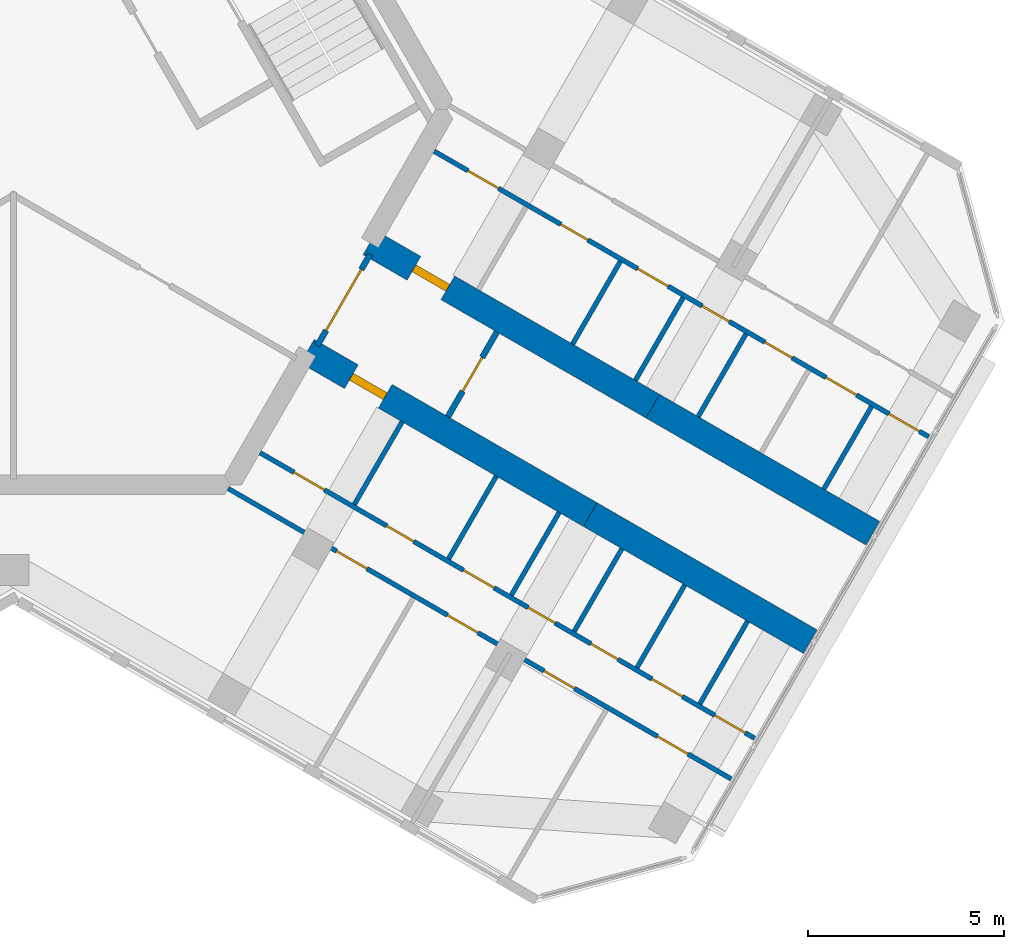
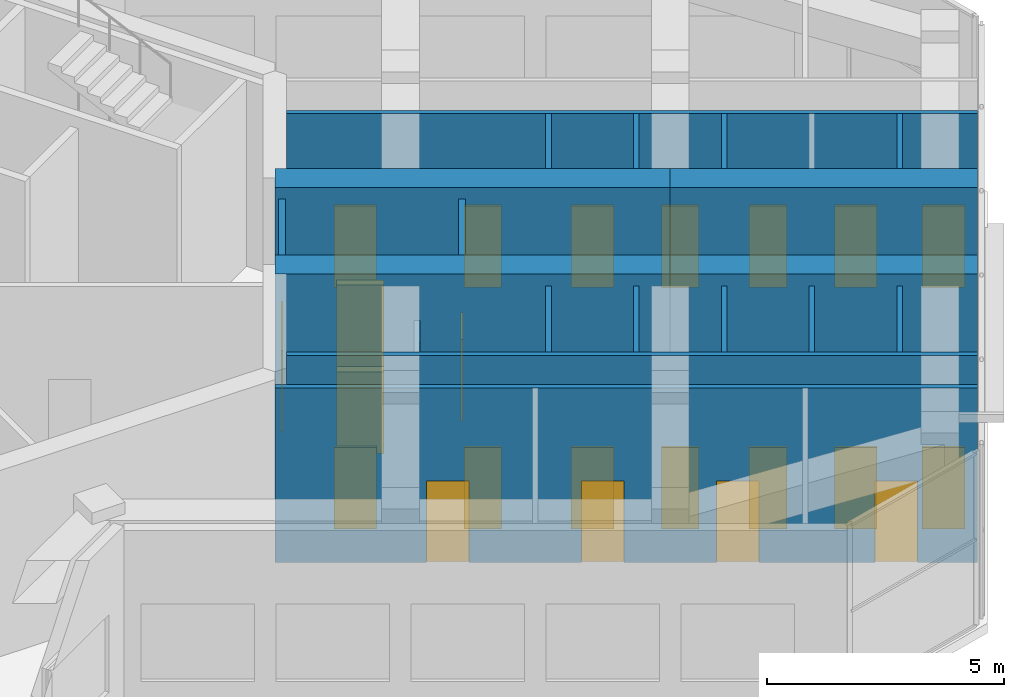
# One storey, part 10 of 14: 22 doors, 19 walls, 22 openings.
"""IFC4 building model written with IfcOpenShell, lengths in metres."""

from ifc_helpers import new_model, si_unit, direction, frame, frame_2d, origin, place, context, subcontext, project, spatial, rectangle, extrude, material, layer, layer_set, type_object, element, fill, save


model = new_model("IFC4")

# Units and contexts
model_context = context("Model", 3, precision=1e-05, world=origin(), true_north=direction((0.0, 1.0)))
body_context = subcontext(model_context, "Body", "Model", "MODEL_VIEW")
ifc_project = project(units=[si_unit("LENGTHUNIT", "METRE"), si_unit("AREAUNIT", "SQUARE_METRE"), si_unit("VOLUMEUNIT", "CUBIC_METRE"), si_unit("PLANEANGLEUNIT", "RADIAN"), si_unit("MASSUNIT", "GRAM", prefix="KILO")], contexts=[model_context])

# Site, building, storey
site_placement = place(None, origin())
site = spatial("IfcSite", under=ifc_project, at=site_placement, CompositionType="ELEMENT")
building_placement = place(site_placement, origin())
building = spatial("IfcBuilding", under=site, at=building_placement, Name="Kosmar Iwan School Tower", CompositionType="ELEMENT")
storey_placement = place(building_placement, frame((0.0, 0.0, 296.199951171875)))
storey = spatial("IfcBuildingStorey", under=building, at=storey_placement, Name="L75", CompositionType="ELEMENT", Elevation=296.199951171875)

# Wall, opening, door
ifc_material_1 = material(Name="Concrete C50/60", Category="concrete")
ifc_layer_1 = layer(ifc_material_1, 0.699951171875)
ifc_layer_set_1 = layer_set([ifc_layer_1], Name="Corridor buttress wall 700")
wall_type_1 = type_object("IfcWallType", Name="Corridor buttress wall 700", PredefinedType="SHEAR", material=ifc_layer_set_1)
wall_1_placement = place(storey_placement, frame((9.11376953125, -3.414306640625, 0.0), z_axis=(0.0, 0.0, 1.0), x_axis=(0.866026859388, -0.499997478812, 0.0)))
wall_1 = element("IfcWall", 1, at=wall_1_placement, inside=storey, type_object=wall_type_1, Name="Corridor wall CL", PredefinedType="SHEAR", context=body_context, shape_type="SweptSolid", body=[
    extrude(rectangle(XDim=8.35009765625, YDim=0.699951171875, at=frame_2d((4.175048828125, 0.0))), origin(), (0.0, 0.0, 1.0), 4.800048828125),
])
opening_1_placement = place(wall_1_placement, frame((1.300048828125, 0.0, 0.0)))
opening_1 = element("IfcOpeningElement", 2, at=opening_1_placement, cuts=wall_1, Name="Opening D1", PredefinedType="OPENING", context=body_context, shape_type="SweptSolid", body=[
    extrude(rectangle(XDim=1.0, YDim=2.10009765625, at=frame_2d((0.5, 1.050048828125))), frame((0.0, 0.362060546875, 0.0), z_axis=(0.0, -1.0, 0.0), x_axis=(1.0, 0.0, 0.0)), (0.0, 0.0, 1.0), 0.723876953125),
])
ifc_material_2 = material(Name="Timber fire door in steel frame", Category="steel")
door_type_1 = type_object("IfcDoorType", Name="Flat entrance door 1000x2100", OperationType="SINGLE_SWING_LEFT", PredefinedType="DOOR", material=ifc_material_2)
door_1_placement = place(opening_1_placement, origin())
door_1 = element("IfcDoor", 3, at=door_1_placement, inside=storey, type_object=door_type_1, Name="Flat L75-CL1 entrance door", OperationType="SINGLE_SWING_RIGHT", OverallHeight=2.10009765625, OverallWidth=1.0, PredefinedType="DOOR", context=body_context, shape_type="SweptSolid", body=[
    extrude(rectangle(XDim=1.0, YDim=2.10009765625, at=frame_2d((0.5, 1.050048828125))), frame((0.0, 0.10009765625, 0.0), z_axis=(0.0, -1.0, 0.0), x_axis=(1.0, 0.0, 0.0)), (0.0, 0.0, 1.0), 0.199951171875),
])
fill(opening_1, door_1)

# Wall
wall_2_placement = place(storey_placement, frame((16.34521484375, -7.58935546875, 0.0), z_axis=(0.0, 0.0, 1.0), x_axis=(0.866018451174, -0.500012042081, 0.0)))
element("IfcWall", 4, at=wall_2_placement, inside=storey, type_object=wall_type_1, Name="Corridor wall CL bay 2", PredefinedType="SHEAR", context=body_context, shape_type="SweptSolid", body=[
    extrude(rectangle(XDim=6.494873046875, YDim=0.699951171875, at=frame_2d((3.24755859375, 0.0))), origin(), (0.0, 0.0, 1.0), 4.800048828125),
])

# Wall, opening, door
wall_3_placement = place(storey_placement, frame((7.513916015625, -6.185546875, 0.0), z_axis=(0.0, 0.0, 1.0), x_axis=(0.866019549707, -0.500010139422, 0.0)))
wall_3 = element("IfcWall", 5, at=wall_3_placement, inside=storey, type_object=wall_type_1, Name="Corridor wall CR", PredefinedType="SHEAR", context=body_context, shape_type="SweptSolid", body=[
    extrude(rectangle(XDim=8.349853515625, YDim=0.699951171875, at=frame_2d((4.1748046875, 0.0))), origin(), (0.0, 0.0, 1.0), 4.800048828125),
])
opening_2_placement = place(wall_3_placement, frame((1.300048828125, 0.0, 0.0)))
opening_2 = element("IfcOpeningElement", 6, at=opening_2_placement, cuts=wall_3, Name="Opening D1", PredefinedType="OPENING", context=body_context, shape_type="SweptSolid", body=[
    extrude(rectangle(XDim=1.0, YDim=2.10009765625, at=frame_2d((0.5, 1.050048828125))), frame((0.0, 0.362060546875, 0.0), z_axis=(0.0, -1.0, 0.0), x_axis=(1.0, 0.0, 0.0)), (0.0, 0.0, 1.0), 0.723876953125),
])
door_2_placement = place(opening_2_placement, origin())
door_2 = element("IfcDoor", 7, at=door_2_placement, inside=storey, type_object=door_type_1, Name="Flat L75-CR1 entrance door", OperationType="SINGLE_SWING_LEFT", OverallHeight=2.10009765625, OverallWidth=1.0, PredefinedType="DOOR", context=body_context, shape_type="SweptSolid", body=[
    extrude(rectangle(XDim=1.0, YDim=2.10009765625, at=frame_2d((0.5, 1.050048828125))), frame((0.0, 0.10009765625, 0.0), z_axis=(0.0, -1.0, 0.0), x_axis=(1.0, 0.0, 0.0)), (0.0, 0.0, 1.0), 0.199951171875),
])
fill(opening_2, door_2)

# Wall
wall_4_placement = place(storey_placement, frame((14.7451171875, -10.360595703125, 0.0), z_axis=(0.0, 0.0, 1.0), x_axis=(0.866027848477, -0.499995765644, 0.0)))
element("IfcWall", 8, at=wall_4_placement, inside=storey, type_object=wall_type_1, Name="Corridor wall CR bay 2", PredefinedType="SHEAR", context=body_context, shape_type="SweptSolid", body=[
    extrude(rectangle(XDim=6.4951171875, YDim=0.699951171875, at=frame_2d((3.24755859375, 0.0))), origin(), (0.0, 0.0, 1.0), 4.800048828125),
])

# Wall, opening, door
ifc_material_3 = material(Name="Gypsum board on steel studs, fire-rated", Category="steel")
ifc_layer_2 = layer(ifc_material_3, 0.14990234375)
ifc_layer_set_2 = layer_set([ifc_layer_2], Name="Corridor end wall 150")
wall_type_2 = type_object("IfcWallType", Name="Corridor end wall 150", PredefinedType="PARTITIONING", material=ifc_layer_set_2)
wall_5_placement = place(storey_placement, frame((11.109619140625, -7.857421875, 0.0), z_axis=(0.0, 0.0, 1.0), x_axis=(0.500004234368, 0.866022959057, 0.0)))
wall_5 = element("IfcWall", 9, at=wall_5_placement, inside=storey, type_object=wall_type_2, Name="Partition L75-C-CE", PredefinedType="PARTITIONING", context=body_context, shape_type="SweptSolid", body=[
    extrude(rectangle(XDim=2.5, YDim=0.14990234375, at=frame_2d((1.25, 0.0))), origin(), (0.0, 0.0, 1.0), 4.5),
])
opening_3_placement = place(wall_5_placement, frame((0.75, 0.0, 0.0)))
opening_3 = element("IfcOpeningElement", 10, at=opening_3_placement, cuts=wall_5, Name="Opening D13", PredefinedType="OPENING", context=body_context, shape_type="SweptSolid", body=[
    extrude(rectangle(XDim=1.0, YDim=2.10009765625, at=frame_2d((0.5, 1.050048828125))), frame((0.0, 0.0869140625, 0.0), z_axis=(0.0, -1.0, 0.0), x_axis=(1.0, 0.0, 0.0)), (0.0, 0.0, 1.0), 0.173828125),
])
ifc_material_4 = material(Name="Timber fire door with vision panel", Category="wood")
door_type_2 = type_object("IfcDoorType", Name="Corridor end door 1000x2100", OperationType="SINGLE_SWING_LEFT", PredefinedType="DOOR", material=ifc_material_4)
door_3_placement = place(opening_3_placement, origin())
door_3 = element("IfcDoor", 11, at=door_3_placement, inside=storey, type_object=door_type_2, Name="Reading room door L75-C", OperationType="SINGLE_SWING_RIGHT", OverallHeight=2.10009765625, OverallWidth=1.0, PredefinedType="DOOR", context=body_context, shape_type="SweptSolid", body=[
    extrude(rectangle(XDim=1.0, YDim=2.10009765625, at=frame_2d((0.5, 1.050048828125))), frame((0.0, 0.02490234375, 0.0), z_axis=(0.0, -1.0, 0.0), x_axis=(1.0, 0.0, 0.0)), (0.0, 0.0, 1.0), 0.050048828125),
])
fill(opening_3, door_3)

ifc_material_5 = material(Name="Steel framed glazed screen", Category="steel")
ifc_layer_3 = layer(ifc_material_5, 0.14990234375)
ifc_layer_set_3 = layer_set([ifc_layer_3], Name="Corridor screen wall 150")
wall_type_3 = type_object("IfcWallType", Name="Corridor screen wall 150", PredefinedType="PARTITIONING", material=ifc_layer_set_3)
wall_6_placement = place(storey_placement, frame((7.768798828125, -6.044189453125, 0.0), z_axis=(0.0, 0.0, 1.0), x_axis=(0.4999416173, 0.866059108428, 0.0)))
wall_6 = element("IfcWall", 12, at=wall_6_placement, inside=storey, type_object=wall_type_3, Name="Corridor screen C L75", PredefinedType="PARTITIONING", context=body_context, shape_type="SweptSolid", body=[
    extrude(rectangle(XDim=2.699951171875, YDim=0.14990234375, at=frame_2d((1.35009765625, 0.0))), origin(), (0.0, 0.0, 1.0), 4.5),
])
opening_4_placement = place(wall_6_placement, frame((0.449951171875, 0.0, 0.0)))
opening_4 = element("IfcOpeningElement", 13, at=opening_4_placement, cuts=wall_6, Name="Opening D9", PredefinedType="OPENING", context=body_context, shape_type="SweptSolid", body=[
    extrude(rectangle(XDim=1.800048828125, YDim=2.10009765625, at=frame_2d((0.89990234375, 1.050048828125))), frame((0.0, 0.0869140625, 0.0), z_axis=(0.0, -1.0, 0.0), x_axis=(1.0, 0.0, 0.0)), (0.0, 0.0, 1.0), 0.173828125),
])
ifc_material_6 = material(Name="Steel framed glazed smoke door", Category="steel")
door_type_3 = type_object("IfcDoorType", Name="Corridor smoke door pair 1800x2100", OperationType="DOUBLE_DOOR_DOUBLE_SWING", PredefinedType="DOOR", material=ifc_material_6)
door_4_placement = place(opening_4_placement, origin())
door_4 = element("IfcDoor", 14, at=door_4_placement, inside=storey, type_object=door_type_3, Name="Corridor doors C L75", OperationType="DOUBLE_DOOR_DOUBLE_SWING", OverallHeight=2.10009765625, OverallWidth=1.800048828125, PredefinedType="DOOR", context=body_context, shape_type="SweptSolid", body=[
    extrude(rectangle(XDim=1.800048828125, YDim=2.10009765625, at=frame_2d((0.89990234375, 1.050048828125))), frame((0.0, 0.02490234375, 0.0), z_axis=(0.0, -1.0, 0.0), x_axis=(1.0, 0.0, 0.0)), (0.0, 0.0, 1.0), 0.050048828125),
])
fill(opening_4, door_4)

# Wall, openings, doors
ifc_material_7 = material(Name="Gypsum board on steel studs", Category="steel")
ifc_layer_4 = layer(ifc_material_7, 0.1201171875)
ifc_layer_set_4 = layer_set([ifc_layer_4], Name="Dwelling partition 120")
wall_type_4 = type_object("IfcWallType", Name="Dwelling partition 120", PredefinedType="PARTITIONING", material=ifc_layer_set_4)
wall_7_placement = place(storey_placement, frame((10.75537109375, -1.0712890625, 0.0), z_axis=(0.0, 0.0, 1.0), x_axis=(0.866029591389, -0.499992746786, 0.0)))
wall_7 = element("IfcWall", 15, at=wall_7_placement, inside=storey, type_object=wall_type_4, Name="Partition L75-CL1-W1", PredefinedType="PARTITIONING", context=body_context, shape_type="SweptSolid", body=[
    extrude(rectangle(XDim=14.594970703125, YDim=0.1201171875, at=frame_2d((7.29736328125, 0.0))), origin(), (0.0, 0.0, 1.0), 4.5),
])
opening_5_placement = place(wall_7_placement, frame((1.0, 0.0, 0.0)))
opening_5 = element("IfcOpeningElement", 16, at=opening_5_placement, cuts=wall_7, Name="Opening D2", PredefinedType="OPENING", context=body_context, shape_type="SweptSolid", body=[
    extrude(rectangle(XDim=0.89990234375, YDim=2.10009765625, at=frame_2d((0.449951171875, 1.050048828125))), frame((0.0, 0.072021484375, 0.0), z_axis=(0.0, -1.0, 0.0), x_axis=(1.0, 0.0, 0.0)), (0.0, 0.0, 1.0), 0.14404296875),
])
opening_6_placement = place(wall_7_placement, frame((3.740478515625, 0.0, 0.0)))
opening_6 = element("IfcOpeningElement", 17, at=opening_6_placement, cuts=wall_7, Name="Opening D3", PredefinedType="OPENING", context=body_context, shape_type="SweptSolid", body=[
    extrude(rectangle(XDim=0.800048828125, YDim=2.10009765625, at=frame_2d((0.39990234375, 1.050048828125))), frame((0.0, 0.072021484375, 0.0), z_axis=(0.0, -1.0, 0.0), x_axis=(1.0, 0.0, 0.0)), (0.0, 0.0, 1.0), 0.14404296875),
])
opening_7_placement = place(wall_7_placement, frame((6.0078125, 0.0, 0.0)))
opening_7 = element("IfcOpeningElement", 18, at=opening_7_placement, cuts=wall_7, Name="Opening D2", PredefinedType="OPENING", context=body_context, shape_type="SweptSolid", body=[
    extrude(rectangle(XDim=0.89990234375, YDim=2.10009765625, at=frame_2d((0.449951171875, 1.050048828125))), frame((0.0, 0.072021484375, 0.0), z_axis=(0.0, -1.0, 0.0), x_axis=(1.0, 0.0, 0.0)), (0.0, 0.0, 1.0), 0.14404296875),
])
opening_8_placement = place(wall_7_placement, frame((7.91162109375, 0.0, 0.0)))
opening_8 = element("IfcOpeningElement", 19, at=opening_8_placement, cuts=wall_7, Name="Opening D3", PredefinedType="OPENING", context=body_context, shape_type="SweptSolid", body=[
    extrude(rectangle(XDim=0.800048828125, YDim=2.10009765625, at=frame_2d((0.39990234375, 1.050048828125))), frame((0.0, 0.072021484375, 0.0), z_axis=(0.0, -1.0, 0.0), x_axis=(1.0, 0.0, 0.0)), (0.0, 0.0, 1.0), 0.14404296875),
])
opening_9_placement = place(wall_7_placement, frame((9.765380859375, 0.0, 0.0)))
opening_9 = element("IfcOpeningElement", 20, at=opening_9_placement, cuts=wall_7, Name="Opening D3", PredefinedType="OPENING", context=body_context, shape_type="SweptSolid", body=[
    extrude(rectangle(XDim=0.800048828125, YDim=2.10009765625, at=frame_2d((0.39990234375, 1.050048828125))), frame((0.0, 0.072021484375, 0.0), z_axis=(0.0, -1.0, 0.0), x_axis=(1.0, 0.0, 0.0)), (0.0, 0.0, 1.0), 0.14404296875),
])
opening_10_placement = place(wall_7_placement, frame((11.5693359375, 0.0, 0.0)))
opening_10 = element("IfcOpeningElement", 21, at=opening_10_placement, cuts=wall_7, Name="Opening D2", PredefinedType="OPENING", context=body_context, shape_type="SweptSolid", body=[
    extrude(rectangle(XDim=0.89990234375, YDim=2.10009765625, at=frame_2d((0.449951171875, 1.050048828125))), frame((0.0, 0.072021484375, 0.0), z_axis=(0.0, -1.0, 0.0), x_axis=(1.0, 0.0, 0.0)), (0.0, 0.0, 1.0), 0.14404296875),
])
opening_11_placement = place(wall_7_placement, frame((13.423095703125, 0.0, 0.0)))
opening_11 = element("IfcOpeningElement", 22, at=opening_11_placement, cuts=wall_7, Name="Opening D2", PredefinedType="OPENING", context=body_context, shape_type="SweptSolid", body=[
    extrude(rectangle(XDim=0.89990234375, YDim=2.10009765625, at=frame_2d((0.449951171875, 1.050048828125))), frame((0.0, 0.072021484375, 0.0), z_axis=(0.0, -1.0, 0.0), x_axis=(1.0, 0.0, 0.0)), (0.0, 0.0, 1.0), 0.14404296875),
])
ifc_material_8 = material(Name="Timber door in timber frame", Category="wood")
door_type_4 = type_object("IfcDoorType", Name="Internal door 900x2100", OperationType="SINGLE_SWING_LEFT", PredefinedType="DOOR", material=ifc_material_8)
door_5_placement = place(opening_5_placement, origin())
door_5 = element("IfcDoor", 23, at=door_5_placement, inside=storey, type_object=door_type_4, Name="Entrance hall door L75-CL1-S1", OperationType="SINGLE_SWING_LEFT", OverallHeight=2.10009765625, OverallWidth=0.89990234375, PredefinedType="DOOR", context=body_context, shape_type="SweptSolid", body=[
    extrude(rectangle(XDim=0.89990234375, YDim=2.10009765625, at=frame_2d((0.449951171875, 1.050048828125))), frame((0.0, 0.02490234375, 0.0), z_axis=(0.0, -1.0, 0.0), x_axis=(1.0, 0.0, 0.0)), (0.0, 0.0, 1.0), 0.050048828125),
])
fill(opening_5, door_5)
door_6_placement = place(opening_7_placement, origin())
door_6 = element("IfcDoor", 24, at=door_6_placement, inside=storey, type_object=door_type_4, Name="Pantry door L75-CL1-S3", OperationType="SINGLE_SWING_LEFT", OverallHeight=2.10009765625, OverallWidth=0.89990234375, PredefinedType="DOOR", context=body_context, shape_type="SweptSolid", body=[
    extrude(rectangle(XDim=0.89990234375, YDim=2.10009765625, at=frame_2d((0.449951171875, 1.050048828125))), frame((0.0, 0.02490234375, 0.0), z_axis=(0.0, -1.0, 0.0), x_axis=(1.0, 0.0, 0.0)), (0.0, 0.0, 1.0), 0.050048828125),
])
fill(opening_7, door_6)
door_7_placement = place(opening_10_placement, origin())
door_7 = element("IfcDoor", 25, at=door_7_placement, inside=storey, type_object=door_type_4, Name="Utility room door L75-CL1-S6", OperationType="SINGLE_SWING_RIGHT", OverallHeight=2.10009765625, OverallWidth=0.89990234375, PredefinedType="DOOR", context=body_context, shape_type="SweptSolid", body=[
    extrude(rectangle(XDim=0.89990234375, YDim=2.10009765625, at=frame_2d((0.449951171875, 1.050048828125))), frame((0.0, 0.02490234375, 0.0), z_axis=(0.0, -1.0, 0.0), x_axis=(1.0, 0.0, 0.0)), (0.0, 0.0, 1.0), 0.050048828125),
])
fill(opening_10, door_7)
door_8_placement = place(opening_11_placement, origin())
door_8 = element("IfcDoor", 26, at=door_8_placement, inside=storey, type_object=door_type_4, Name="Dressing room door L75-CL1-S7", OperationType="SINGLE_SWING_RIGHT", OverallHeight=2.10009765625, OverallWidth=0.89990234375, PredefinedType="DOOR", context=body_context, shape_type="SweptSolid", body=[
    extrude(rectangle(XDim=0.89990234375, YDim=2.10009765625, at=frame_2d((0.449951171875, 1.050048828125))), frame((0.0, 0.02490234375, 0.0), z_axis=(0.0, -1.0, 0.0), x_axis=(1.0, 0.0, 0.0)), (0.0, 0.0, 1.0), 0.050048828125),
])
fill(opening_11, door_8)
ifc_material_9 = material(Name="Timber door in timber frame", Category="wood")
door_type_5 = type_object("IfcDoorType", Name="Sanitary room door 800x2100", OperationType="SINGLE_SWING_LEFT", PredefinedType="DOOR", material=ifc_material_9)
door_9_placement = place(opening_6_placement, origin())
door_9 = element("IfcDoor", 27, at=door_9_placement, inside=storey, type_object=door_type_5, Name="Bathroom door L75-CL1-S2", OperationType="SINGLE_SWING_LEFT", OverallHeight=2.10009765625, OverallWidth=0.800048828125, PredefinedType="DOOR", context=body_context, shape_type="SweptSolid", body=[
    extrude(rectangle(XDim=0.800048828125, YDim=2.10009765625, at=frame_2d((0.39990234375, 1.050048828125))), frame((0.0, 0.02490234375, 0.0), z_axis=(0.0, -1.0, 0.0), x_axis=(1.0, 0.0, 0.0)), (0.0, 0.0, 1.0), 0.050048828125),
])
fill(opening_6, door_9)
door_10_placement = place(opening_8_placement, origin())
door_10 = element("IfcDoor", 28, at=door_10_placement, inside=storey, type_object=door_type_5, Name="WC door L75-CL1-S4", OperationType="SINGLE_SWING_RIGHT", OverallHeight=2.10009765625, OverallWidth=0.800048828125, PredefinedType="DOOR", context=body_context, shape_type="SweptSolid", body=[
    extrude(rectangle(XDim=0.800048828125, YDim=2.10009765625, at=frame_2d((0.39990234375, 1.050048828125))), frame((0.0, 0.02490234375, 0.0), z_axis=(0.0, -1.0, 0.0), x_axis=(1.0, 0.0, 0.0)), (0.0, 0.0, 1.0), 0.050048828125),
])
fill(opening_8, door_10)
door_11_placement = place(opening_9_placement, origin())
door_11 = element("IfcDoor", 29, at=door_11_placement, inside=storey, type_object=door_type_5, Name="Store door L75-CL1-S5", OperationType="SINGLE_SWING_RIGHT", OverallHeight=2.10009765625, OverallWidth=0.800048828125, PredefinedType="DOOR", context=body_context, shape_type="SweptSolid", body=[
    extrude(rectangle(XDim=0.800048828125, YDim=2.10009765625, at=frame_2d((0.39990234375, 1.050048828125))), frame((0.0, 0.02490234375, 0.0), z_axis=(0.0, -1.0, 0.0), x_axis=(1.0, 0.0, 0.0)), (0.0, 0.0, 1.0), 0.050048828125),
])
fill(opening_9, door_11)

# Walls
wall_8_placement = place(storey_placement, frame((14.295166015625, -6.001708984375, 0.0), z_axis=(0.0, 0.0, 1.0), x_axis=(0.499959183527, 0.866048967903, 0.0)))
element("IfcWall", 30, at=wall_8_placement, inside=storey, type_object=wall_type_4, Name="Partition L75-CL1-Y2", PredefinedType="PARTITIONING", context=body_context, shape_type="SweptSolid", body=[
    extrude(rectangle(XDim=2.440185546875, YDim=0.1201171875, at=frame_2d((1.22021484375, 0.0))), origin(), (0.0, 0.0, 1.0), 4.5),
])
for number, where, z_axis, x_axis, name in (
    (31, (15.900634765625, -6.928466796875, 0.0), (0.0, 0.0, 1.0), (0.500002508028, 0.866023955769, 0.0), "Partition L75-CL1-Y3"),
    (32, (17.506103515625, -7.85546875, 0.0), (0.0, 0.0, 1.0), (0.500002508028, 0.866023955769, 0.0), "Partition L75-CL1-Y4"),
    (33, (20.717041015625, -9.709228515625, 0.0), (0.0, 0.0, 1.0), (0.500002508028, 0.866023955769, 0.0), "Partition L75-CL1-Y6"),
):
    element("IfcWall", number, at=place(storey_placement, frame(where, z_axis=z_axis, x_axis=x_axis)), inside=storey, type_object=wall_type_4, Name=name, PredefinedType="PARTITIONING", context=body_context, shape_type="SweptSolid", body=[
        extrude(rectangle(XDim=2.43994140625, YDim=0.1201171875, at=frame_2d((1.219970703125, 0.0))), origin(), (0.0, 0.0, 1.0), 4.5),
    ])

# Wall, openings, doors
wall_9_placement = place(storey_placement, frame((6.305419921875, -8.77880859375, 0.0), z_axis=(0.0, 0.0, 1.0), x_axis=(0.866022348096, -0.50000529257, 0.0)))
wall_9 = element("IfcWall", 34, at=wall_9_placement, inside=storey, type_object=wall_type_4, Name="Partition L75-CR1-W1", PredefinedType="PARTITIONING", context=body_context, shape_type="SweptSolid", body=[
    extrude(rectangle(XDim=14.594970703125, YDim=0.1201171875, at=frame_2d((7.29736328125, 0.0))), origin(), (0.0, 0.0, 1.0), 4.5),
])
opening_12_placement = place(wall_9_placement, frame((1.0, 0.0, 0.0)))
opening_12 = element("IfcOpeningElement", 35, at=opening_12_placement, cuts=wall_9, Name="Opening D2", PredefinedType="OPENING", context=body_context, shape_type="SweptSolid", body=[
    extrude(rectangle(XDim=0.89990234375, YDim=2.10009765625, at=frame_2d((0.449951171875, 1.050048828125))), frame((0.0, 0.072021484375, 0.0), z_axis=(0.0, -1.0, 0.0), x_axis=(1.0, 0.0, 0.0)), (0.0, 0.0, 1.0), 0.14404296875),
])
opening_13_placement = place(wall_9_placement, frame((3.740478515625, 0.0, 0.0)))
opening_13 = element("IfcOpeningElement", 36, at=opening_13_placement, cuts=wall_9, Name="Opening D3", PredefinedType="OPENING", context=body_context, shape_type="SweptSolid", body=[
    extrude(rectangle(XDim=0.800048828125, YDim=2.10009765625, at=frame_2d((0.39990234375, 1.050048828125))), frame((0.0, 0.072021484375, 0.0), z_axis=(0.0, -1.0, 0.0), x_axis=(1.0, 0.0, 0.0)), (0.0, 0.0, 1.0), 0.14404296875),
])
opening_14_placement = place(wall_9_placement, frame((6.0078125, 0.0, 0.0)))
opening_14 = element("IfcOpeningElement", 37, at=opening_14_placement, cuts=wall_9, Name="Opening D2", PredefinedType="OPENING", context=body_context, shape_type="SweptSolid", body=[
    extrude(rectangle(XDim=0.89990234375, YDim=2.10009765625, at=frame_2d((0.449951171875, 1.050048828125))), frame((0.0, 0.072021484375, 0.0), z_axis=(0.0, -1.0, 0.0), x_axis=(1.0, 0.0, 0.0)), (0.0, 0.0, 1.0), 0.14404296875),
])
opening_15_placement = place(wall_9_placement, frame((7.91162109375, 0.0, 0.0)))
opening_15 = element("IfcOpeningElement", 38, at=opening_15_placement, cuts=wall_9, Name="Opening D3", PredefinedType="OPENING", context=body_context, shape_type="SweptSolid", body=[
    extrude(rectangle(XDim=0.800048828125, YDim=2.10009765625, at=frame_2d((0.39990234375, 1.050048828125))), frame((0.0, 0.072021484375, 0.0), z_axis=(0.0, -1.0, 0.0), x_axis=(1.0, 0.0, 0.0)), (0.0, 0.0, 1.0), 0.14404296875),
])
opening_16_placement = place(wall_9_placement, frame((9.765380859375, 0.0, 0.0)))
opening_16 = element("IfcOpeningElement", 39, at=opening_16_placement, cuts=wall_9, Name="Opening D3", PredefinedType="OPENING", context=body_context, shape_type="SweptSolid", body=[
    extrude(rectangle(XDim=0.800048828125, YDim=2.10009765625, at=frame_2d((0.39990234375, 1.050048828125))), frame((0.0, 0.072021484375, 0.0), z_axis=(0.0, -1.0, 0.0), x_axis=(1.0, 0.0, 0.0)), (0.0, 0.0, 1.0), 0.14404296875),
])
opening_17_placement = place(wall_9_placement, frame((11.5693359375, 0.0, 0.0)))
opening_17 = element("IfcOpeningElement", 40, at=opening_17_placement, cuts=wall_9, Name="Opening D2", PredefinedType="OPENING", context=body_context, shape_type="SweptSolid", body=[
    extrude(rectangle(XDim=0.89990234375, YDim=2.10009765625, at=frame_2d((0.449951171875, 1.050048828125))), frame((0.0, 0.072021484375, 0.0), z_axis=(0.0, -1.0, 0.0), x_axis=(1.0, 0.0, 0.0)), (0.0, 0.0, 1.0), 0.14404296875),
])
opening_18_placement = place(wall_9_placement, frame((13.423095703125, 0.0, 0.0)))
opening_18 = element("IfcOpeningElement", 41, at=opening_18_placement, cuts=wall_9, Name="Opening D2", PredefinedType="OPENING", context=body_context, shape_type="SweptSolid", body=[
    extrude(rectangle(XDim=0.89990234375, YDim=2.10009765625, at=frame_2d((0.449951171875, 1.050048828125))), frame((0.0, 0.072021484375, 0.0), z_axis=(0.0, -1.0, 0.0), x_axis=(1.0, 0.0, 0.0)), (0.0, 0.0, 1.0), 0.14404296875),
])
door_12_placement = place(opening_12_placement, origin())
door_12 = element("IfcDoor", 42, at=door_12_placement, inside=storey, type_object=door_type_4, Name="Entrance hall door L75-CR1-S1", OperationType="SINGLE_SWING_LEFT", OverallHeight=2.10009765625, OverallWidth=0.89990234375, PredefinedType="DOOR", context=body_context, shape_type="SweptSolid", body=[
    extrude(rectangle(XDim=0.89990234375, YDim=2.10009765625, at=frame_2d((0.449951171875, 1.050048828125))), frame((0.0, 0.02490234375, 0.0), z_axis=(0.0, -1.0, 0.0), x_axis=(1.0, 0.0, 0.0)), (0.0, 0.0, 1.0), 0.050048828125),
])
fill(opening_12, door_12)
door_13_placement = place(opening_14_placement, origin())
door_13 = element("IfcDoor", 43, at=door_13_placement, inside=storey, type_object=door_type_4, Name="Pantry door L75-CR1-S3", OperationType="SINGLE_SWING_LEFT", OverallHeight=2.10009765625, OverallWidth=0.89990234375, PredefinedType="DOOR", context=body_context, shape_type="SweptSolid", body=[
    extrude(rectangle(XDim=0.89990234375, YDim=2.10009765625, at=frame_2d((0.449951171875, 1.050048828125))), frame((0.0, 0.02490234375, 0.0), z_axis=(0.0, -1.0, 0.0), x_axis=(1.0, 0.0, 0.0)), (0.0, 0.0, 1.0), 0.050048828125),
])
fill(opening_14, door_13)
door_14_placement = place(opening_17_placement, origin())
door_14 = element("IfcDoor", 44, at=door_14_placement, inside=storey, type_object=door_type_4, Name="Utility room door L75-CR1-S6", OperationType="SINGLE_SWING_RIGHT", OverallHeight=2.10009765625, OverallWidth=0.89990234375, PredefinedType="DOOR", context=body_context, shape_type="SweptSolid", body=[
    extrude(rectangle(XDim=0.89990234375, YDim=2.10009765625, at=frame_2d((0.449951171875, 1.050048828125))), frame((0.0, 0.02490234375, 0.0), z_axis=(0.0, -1.0, 0.0), x_axis=(1.0, 0.0, 0.0)), (0.0, 0.0, 1.0), 0.050048828125),
])
fill(opening_17, door_14)
door_15_placement = place(opening_18_placement, origin())
door_15 = element("IfcDoor", 45, at=door_15_placement, inside=storey, type_object=door_type_4, Name="Dressing room door L75-CR1-S7", OperationType="SINGLE_SWING_RIGHT", OverallHeight=2.10009765625, OverallWidth=0.89990234375, PredefinedType="DOOR", context=body_context, shape_type="SweptSolid", body=[
    extrude(rectangle(XDim=0.89990234375, YDim=2.10009765625, at=frame_2d((0.449951171875, 1.050048828125))), frame((0.0, 0.02490234375, 0.0), z_axis=(0.0, -1.0, 0.0), x_axis=(1.0, 0.0, 0.0)), (0.0, 0.0, 1.0), 0.050048828125),
])
fill(opening_18, door_15)
door_16_placement = place(opening_13_placement, origin())
door_16 = element("IfcDoor", 46, at=door_16_placement, inside=storey, type_object=door_type_5, Name="Bathroom door L75-CR1-S2", OperationType="SINGLE_SWING_RIGHT", OverallHeight=2.10009765625, OverallWidth=0.800048828125, PredefinedType="DOOR", context=body_context, shape_type="SweptSolid", body=[
    extrude(rectangle(XDim=0.800048828125, YDim=2.10009765625, at=frame_2d((0.39990234375, 1.050048828125))), frame((0.0, 0.02490234375, 0.0), z_axis=(0.0, -1.0, 0.0), x_axis=(1.0, 0.0, 0.0)), (0.0, 0.0, 1.0), 0.050048828125),
])
fill(opening_13, door_16)
door_17_placement = place(opening_15_placement, origin())
door_17 = element("IfcDoor", 47, at=door_17_placement, inside=storey, type_object=door_type_5, Name="WC door L75-CR1-S4", OperationType="SINGLE_SWING_RIGHT", OverallHeight=2.10009765625, OverallWidth=0.800048828125, PredefinedType="DOOR", context=body_context, shape_type="SweptSolid", body=[
    extrude(rectangle(XDim=0.800048828125, YDim=2.10009765625, at=frame_2d((0.39990234375, 1.050048828125))), frame((0.0, 0.02490234375, 0.0), z_axis=(0.0, -1.0, 0.0), x_axis=(1.0, 0.0, 0.0)), (0.0, 0.0, 1.0), 0.050048828125),
])
fill(opening_15, door_17)
door_18_placement = place(opening_16_placement, origin())
door_18 = element("IfcDoor", 48, at=door_18_placement, inside=storey, type_object=door_type_5, Name="Store door L75-CR1-S5", OperationType="SINGLE_SWING_LEFT", OverallHeight=2.10009765625, OverallWidth=0.800048828125, PredefinedType="DOOR", context=body_context, shape_type="SweptSolid", body=[
    extrude(rectangle(XDim=0.800048828125, YDim=2.10009765625, at=frame_2d((0.39990234375, 1.050048828125))), frame((0.0, 0.02490234375, 0.0), z_axis=(0.0, -1.0, 0.0), x_axis=(1.0, 0.0, 0.0)), (0.0, 0.0, 1.0), 0.050048828125),
])
fill(opening_16, door_18)

wall_10_placement = place(storey_placement, frame((5.48876953125, -9.693115234375, 0.0), z_axis=(0.0, 0.0, 1.0), x_axis=(0.866030301974, -0.499991515992, 0.0)))
wall_10 = element("IfcWall", 49, at=wall_10_placement, inside=storey, type_object=wall_type_4, Name="Partition L75-CR1-W2", PredefinedType="PARTITIONING", context=body_context, shape_type="SweptSolid", body=[
    extrude(rectangle(XDim=14.844970703125, YDim=0.1201171875, at=frame_2d((7.42236328125, 0.0))), origin(), (0.0, 0.0, 1.0), 4.5),
])
opening_19_placement = place(wall_10_placement, frame((3.199951171875, 0.0, 0.0)))
opening_19 = element("IfcOpeningElement", 50, at=opening_19_placement, cuts=wall_10, Name="Opening D2", PredefinedType="OPENING", context=body_context, shape_type="SweptSolid", body=[
    extrude(rectangle(XDim=0.89990234375, YDim=2.10009765625, at=frame_2d((0.449951171875, 1.050048828125))), frame((0.0, 0.072021484375, 0.0), z_axis=(0.0, -1.0, 0.0), x_axis=(1.0, 0.0, 0.0)), (0.0, 0.0, 1.0), 0.14404296875),
])
opening_20_placement = place(wall_10_placement, frame((6.47509765625, 0.0, 0.0)))
opening_20 = element("IfcOpeningElement", 51, at=opening_20_placement, cuts=wall_10, Name="Opening D2", PredefinedType="OPENING", context=body_context, shape_type="SweptSolid", body=[
    extrude(rectangle(XDim=0.89990234375, YDim=2.10009765625, at=frame_2d((0.449951171875, 1.050048828125))), frame((0.0, 0.072021484375, 0.0), z_axis=(0.0, -1.0, 0.0), x_axis=(1.0, 0.0, 0.0)), (0.0, 0.0, 1.0), 0.14404296875),
])
opening_21_placement = place(wall_10_placement, frame((9.324951171875, 0.0, 0.0)))
opening_21 = element("IfcOpeningElement", 52, at=opening_21_placement, cuts=wall_10, Name="Opening D2", PredefinedType="OPENING", context=body_context, shape_type="SweptSolid", body=[
    extrude(rectangle(XDim=0.89990234375, YDim=2.10009765625, at=frame_2d((0.449951171875, 1.050048828125))), frame((0.0, 0.072021484375, 0.0), z_axis=(0.0, -1.0, 0.0), x_axis=(1.0, 0.0, 0.0)), (0.0, 0.0, 1.0), 0.14404296875),
])
opening_22_placement = place(wall_10_placement, frame((12.675048828125, 0.0, 0.0)))
opening_22 = element("IfcOpeningElement", 53, at=opening_22_placement, cuts=wall_10, Name="Opening D2", PredefinedType="OPENING", context=body_context, shape_type="SweptSolid", body=[
    extrude(rectangle(XDim=0.89990234375, YDim=2.10009765625, at=frame_2d((0.449951171875, 1.050048828125))), frame((0.0, 0.072021484375, 0.0), z_axis=(0.0, -1.0, 0.0), x_axis=(1.0, 0.0, 0.0)), (0.0, 0.0, 1.0), 0.14404296875),
])
door_19_placement = place(opening_19_placement, origin())
door_19 = element("IfcDoor", 54, at=door_19_placement, inside=storey, type_object=door_type_4, Name="Living room and kitchen door L75-CR1-F1", OperationType="SINGLE_SWING_LEFT", OverallHeight=2.10009765625, OverallWidth=0.89990234375, PredefinedType="DOOR", context=body_context, shape_type="SweptSolid", body=[
    extrude(rectangle(XDim=0.89990234375, YDim=2.10009765625, at=frame_2d((0.449951171875, 1.050048828125))), frame((0.0, 0.02490234375, 0.0), z_axis=(0.0, -1.0, 0.0), x_axis=(1.0, 0.0, 0.0)), (0.0, 0.0, 1.0), 0.050048828125),
])
fill(opening_19, door_19)
door_20_placement = place(opening_20_placement, origin())
door_20 = element("IfcDoor", 55, at=door_20_placement, inside=storey, type_object=door_type_4, Name="Study door L75-CR1-F2", OperationType="SINGLE_SWING_LEFT", OverallHeight=2.10009765625, OverallWidth=0.89990234375, PredefinedType="DOOR", context=body_context, shape_type="SweptSolid", body=[
    extrude(rectangle(XDim=0.89990234375, YDim=2.10009765625, at=frame_2d((0.449951171875, 1.050048828125))), frame((0.0, 0.02490234375, 0.0), z_axis=(0.0, -1.0, 0.0), x_axis=(1.0, 0.0, 0.0)), (0.0, 0.0, 1.0), 0.050048828125),
])
fill(opening_20, door_20)
door_21_placement = place(opening_21_placement, origin())
door_21 = element("IfcDoor", 56, at=door_21_placement, inside=storey, type_object=door_type_4, Name="Winter garden door L75-CR1-F3", OperationType="SINGLE_SWING_RIGHT", OverallHeight=2.10009765625, OverallWidth=0.89990234375, PredefinedType="DOOR", context=body_context, shape_type="SweptSolid", body=[
    extrude(rectangle(XDim=0.89990234375, YDim=2.10009765625, at=frame_2d((0.449951171875, 1.050048828125))), frame((0.0, 0.02490234375, 0.0), z_axis=(0.0, -1.0, 0.0), x_axis=(1.0, 0.0, 0.0)), (0.0, 0.0, 1.0), 0.050048828125),
])
fill(opening_21, door_21)
door_22_placement = place(opening_22_placement, origin())
door_22 = element("IfcDoor", 57, at=door_22_placement, inside=storey, type_object=door_type_4, Name="Bedroom 1 door L75-CR1-F4", OperationType="SINGLE_SWING_RIGHT", OverallHeight=2.10009765625, OverallWidth=0.89990234375, PredefinedType="DOOR", context=body_context, shape_type="SweptSolid", body=[
    extrude(rectangle(XDim=0.89990234375, YDim=2.10009765625, at=frame_2d((0.449951171875, 1.050048828125))), frame((0.0, 0.02490234375, 0.0), z_axis=(0.0, -1.0, 0.0), x_axis=(1.0, 0.0, 0.0)), (0.0, 0.0, 1.0), 0.050048828125),
])
fill(opening_22, door_22)

# Walls
wall_11_placement = place(storey_placement, frame((9.93701171875, -7.98876953125, 0.0), z_axis=(0.0, 0.0, 1.0), x_axis=(-0.500077547548, -0.865980627057, 0.0)))
element("IfcWall", 58, at=wall_11_placement, inside=storey, type_object=wall_type_4, Name="Partition L75-CR1-Y1", PredefinedType="PARTITIONING", context=body_context, shape_type="SweptSolid", body=[
    extrude(rectangle(XDim=2.43994140625, YDim=0.1201171875, at=frame_2d((1.219970703125, 0.0))), origin(), (0.0, 0.0, 1.0), 3.60009765625),
])
for number, where, z_axis, x_axis, name in (
    (59, (12.34521484375, -9.379150390625, 0.0), (0.0, 0.0, 1.0), (-0.500002508028, -0.866023955769, 0.0), "Partition L75-CR1-Y2"),
    (60, (13.95068359375, -10.30615234375, 0.0), (0.0, 0.0, 1.0), (-0.500002508028, -0.866023955769, 0.0), "Partition L75-CR1-Y3"),
):
    element("IfcWall", number, at=place(storey_placement, frame(where, z_axis=z_axis, x_axis=x_axis)), inside=storey, type_object=wall_type_4, Name=name, PredefinedType="PARTITIONING", context=body_context, shape_type="SweptSolid", body=[
        extrude(rectangle(XDim=2.43994140625, YDim=0.1201171875, at=frame_2d((1.219970703125, 0.0))), origin(), (0.0, 0.0, 1.0), 4.5),
    ])
wall_12_placement = place(storey_placement, frame((15.55615234375, -11.23291015625, 0.0), z_axis=(0.0, 0.0, 1.0), x_axis=(-0.499959183527, -0.866048967903, 0.0)))
element("IfcWall", 61, at=wall_12_placement, inside=storey, type_object=wall_type_4, Name="Partition L75-CR1-Y4", PredefinedType="PARTITIONING", context=body_context, shape_type="SweptSolid", body=[
    extrude(rectangle(XDim=2.440185546875, YDim=0.1201171875, at=frame_2d((1.22021484375, 0.0))), origin(), (0.0, 0.0, 1.0), 4.5),
])
for number, where, z_axis, x_axis, name in (
    (62, (17.16162109375, -12.159912109375, 0.0), (0.0, 0.0, 1.0), (-0.500002508028, -0.866023955769, 0.0), "Partition L75-CR1-Y5"),
    (63, (18.76708984375, -13.0869140625, 0.0), (0.0, 0.0, 1.0), (-0.500002508028, -0.866023955769, 0.0), "Partition L75-CR1-Y6"),
):
    element("IfcWall", number, at=place(storey_placement, frame(where, z_axis=z_axis, x_axis=x_axis)), inside=storey, type_object=wall_type_4, Name=name, PredefinedType="PARTITIONING", context=body_context, shape_type="SweptSolid", body=[
        extrude(rectangle(XDim=2.43994140625, YDim=0.1201171875, at=frame_2d((1.219970703125, 0.0))), origin(), (0.0, 0.0, 1.0), 4.5),
    ])

save(model, "model.ifc")
